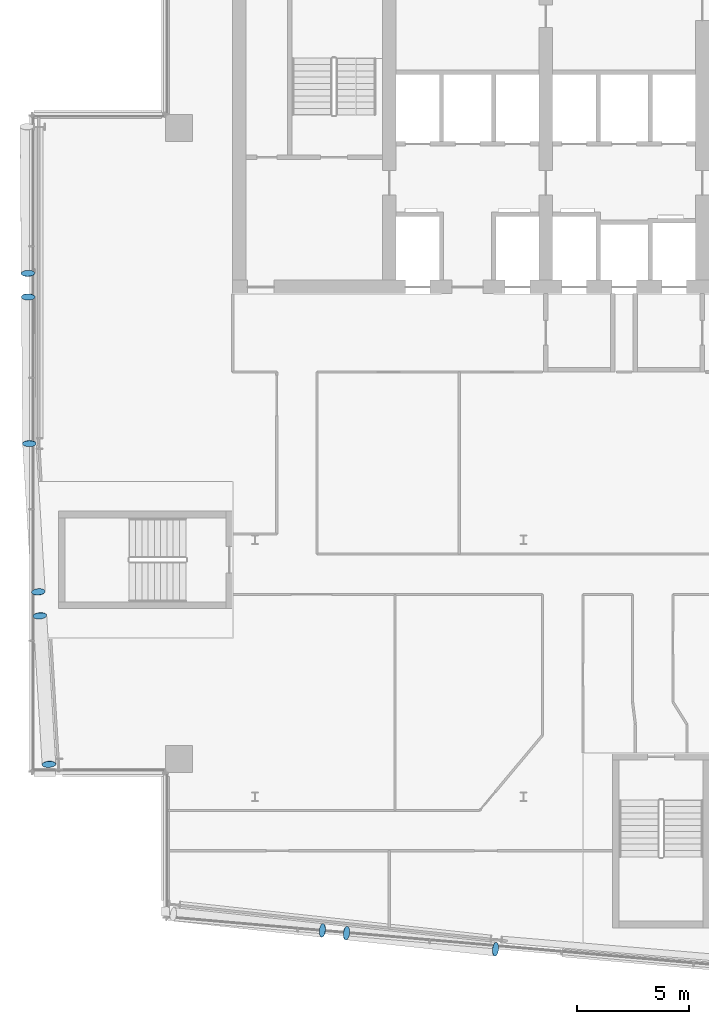
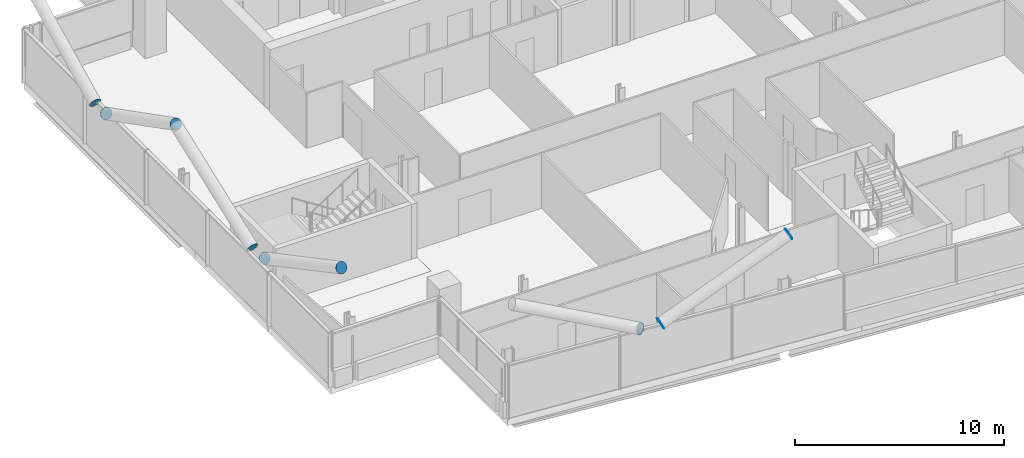
# One storey, part 21 of 27: 9 discrete accessories.
"""IFC4 building model written with IfcOpenShell, lengths in metres."""

from ifc_helpers import new_model, si_unit, direction, frame, origin, origin_2d, place, context, subcontext, project, spatial, circle, extrude, material, material_profile, profile_set, type_object, element, save


model = new_model("IFC4")

# Units and contexts
model_context = context("Model", 3, precision=1e-05, world=origin(), true_north=direction((0.0, 1.0)))
body_context = subcontext(model_context, "Body", "Model", "MODEL_VIEW")
ifc_project = project(units=[si_unit("LENGTHUNIT", "METRE"), si_unit("AREAUNIT", "SQUARE_METRE"), si_unit("VOLUMEUNIT", "CUBIC_METRE"), si_unit("PLANEANGLEUNIT", "RADIAN"), si_unit("MASSUNIT", "GRAM", prefix="KILO")], contexts=[model_context])

# Site, building, storey
site_placement = place(None, origin())
site = spatial("IfcSite", under=ifc_project, at=site_placement, CompositionType="ELEMENT")
building_placement = place(site_placement, origin())
building = spatial("IfcBuilding", under=site, at=building_placement, Name="Wharfspan Tower", CompositionType="ELEMENT")
storey_placement = place(building_placement, frame((0.0, 0.0, 243.100098)))
storey = spatial("IfcBuildingStorey", under=building, at=storey_placement, Name="L61", CompositionType="ELEMENT", Elevation=243.100098)

# Discrete accessories
ifc_material = material(Name="Steel S460NH", Category="steel")
ifc_material_profile = material_profile(ifc_material, circle(Radius=0.304932, at=origin_2d()))
ifc_profile_set = profile_set([ifc_material_profile], Name="Steel S460NH")
discrete_accessory_type = type_object("IfcDiscreteAccessoryType", Name="End plate CHS 610x25", PredefinedType="BRACKET", material=ifc_profile_set)
discrete_accessory_1_placement = place(storey_placement, frame((28.080078, 5.411865, 3.166504), z_axis=(0.890043, -0.098894, 0.445021), x_axis=(0.110431, 0.99388, 1e-06)))
element("IfcDiscreteAccessory", 1, at=discrete_accessory_1_placement, inside=storey, type_object=discrete_accessory_type, Name="End plate CHS 610x25", PredefinedType="BRACKET", context=body_context, shape_type="SweptSolid", body=[
    extrude(circle(Radius=0.304932, at=origin_2d()), origin(), (0.0, 0.0, 1.0), 0.009766),
])
for number, where, z_axis, x_axis, name in (
    (2, (34.741699, 4.689941, 6.5), (0.895016, -0.096758, 0.435413), (0.107482, 0.994209, -1e-06), "End plate CHS 610x25"),
    (3, (27.014404, 5.527344, 3.166504), (-0.895016, 0.096758, 0.435413), (-0.107482, -0.994209, -1e-06), "End plate CHS 610x25"),
):
    element("IfcDiscreteAccessory", number, at=place(storey_placement, frame(where, z_axis=z_axis, x_axis=x_axis)), inside=storey, type_object=discrete_accessory_type, Name=name, PredefinedType="BRACKET", context=body_context, shape_type="SweptSolid", body=[
        extrude(circle(Radius=0.304932, at=origin_2d()), origin(), (0.0, 0.0, 1.0), 0.01001),
    ])
discrete_accessory_2_placement = place(storey_placement, frame((13.853271, 33.85791, 3.165283), z_axis=(0.0, -0.894427, 0.447214), x_axis=(1.0, 0.0, 0.0)))
element("IfcDiscreteAccessory", 4, at=discrete_accessory_2_placement, inside=storey, type_object=discrete_accessory_type, Name="End plate CHS 610x25", PredefinedType="BRACKET", context=body_context, shape_type="SweptSolid", body=[
    extrude(circle(Radius=0.304932, at=origin_2d()), origin(), (0.0, 0.0, 1.0), 0.009766),
])
for number, where, z_axis, x_axis, name in (
    (5, (13.905029, 27.300049, 6.5), (0.0, -0.899235, 0.437466), (1.0, 0.0, 0.0), "End plate CHS 610x25"),
    (6, (13.844971, 34.901611, 3.165283), (-0.024296, 0.89897, 0.437337), (-0.999631, -0.027017, 1e-06), "End plate CHS 610x25"),
):
    element("IfcDiscreteAccessory", number, at=place(storey_placement, frame(where, z_axis=z_axis, x_axis=x_axis)), inside=storey, type_object=discrete_accessory_type, Name=name, PredefinedType="BRACKET", context=body_context, shape_type="SweptSolid", body=[
        extrude(circle(Radius=0.304932, at=origin_2d()), origin(), (0.0, 0.0, 1.0), 0.01001),
    ])
discrete_accessory_3_placement = place(storey_placement, frame((14.376221, 19.601807, 3.166016), z_axis=(0.07194, -0.887262, 0.455621), x_axis=(0.996733, 0.080816, 0.0)))
element("IfcDiscreteAccessory", 7, at=discrete_accessory_3_placement, inside=storey, type_object=discrete_accessory_type, Name="End plate CHS 610x25", PredefinedType="BRACKET", context=body_context, shape_type="SweptSolid", body=[
    extrude(circle(Radius=0.304932, at=origin_2d()), origin(), (0.0, 0.0, 1.0), 0.010254),
])
discrete_accessory_4_placement = place(storey_placement, frame((14.782715, 12.963379, 6.5), z_axis=(0.049629, -0.893325, 0.446663), x_axis=(0.998463, 0.05547, 0.0)))
element("IfcDiscreteAccessory", 8, at=discrete_accessory_4_placement, inside=storey, type_object=discrete_accessory_type, Name="End plate CHS 610x25", PredefinedType="BRACKET", context=body_context, shape_type="SweptSolid", body=[
    extrude(circle(Radius=0.304932, at=origin_2d()), origin(), (0.0, 0.0, 1.0), 0.009766),
])
discrete_accessory_5_placement = place(storey_placement, frame((14.311523, 20.661621, 3.166016), z_axis=(-0.07194, 0.887262, 0.455621), x_axis=(-0.996733, -0.080816, 0.0)))
element("IfcDiscreteAccessory", 9, at=discrete_accessory_5_placement, inside=storey, type_object=discrete_accessory_type, Name="End plate CHS 610x25", PredefinedType="BRACKET", context=body_context, shape_type="SweptSolid", body=[
    extrude(circle(Radius=0.304932, at=origin_2d()), origin(), (0.0, 0.0, 1.0), 0.010254),
])

save(model, "model.ifc")
